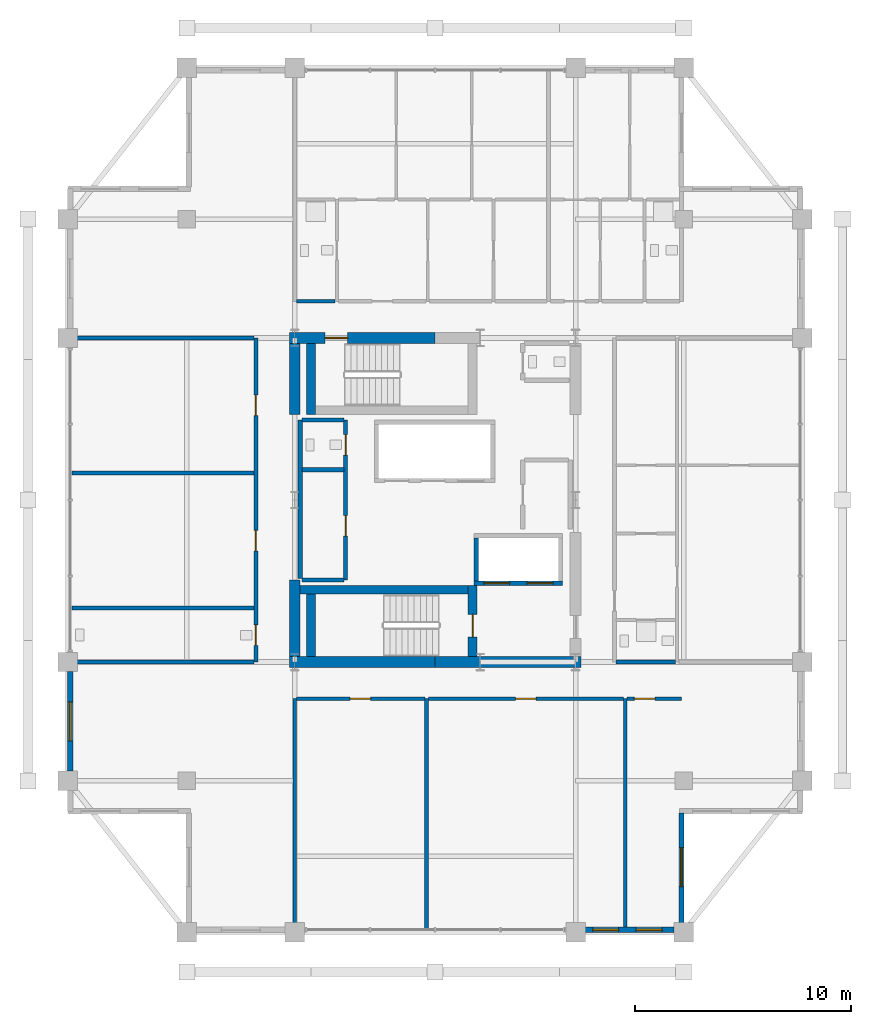
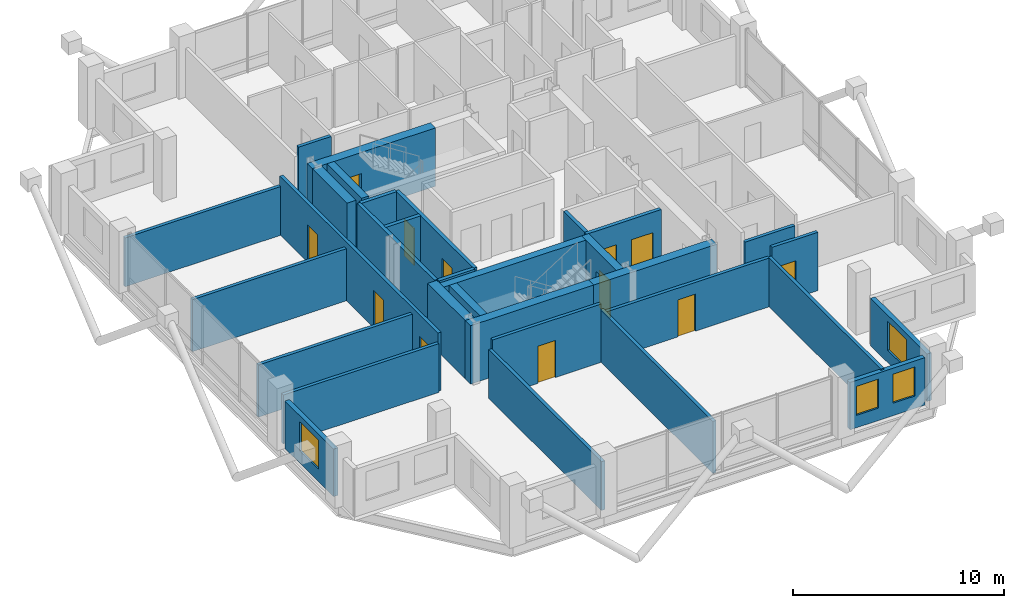
# One storey, part 18 of 23: 32 walls, 12 doors, 4 windows, 16 openings.
"""IFC4 building model written with IfcOpenShell, lengths in metres."""

from ifc_helpers import new_model, si_unit, direction, frame, frame_2d, origin, place, context, subcontext, project, spatial, rectangle, extrude, material, layer, layer_set, type_object, element, fill, save


model = new_model("IFC4")

# Units and contexts
model_context = context("Model", 3, precision=1e-05, world=origin(), true_north=direction((0.0, 1.0)))
body_context = subcontext(model_context, "Body", "Model", "MODEL_VIEW")
ifc_project = project(units=[si_unit("LENGTHUNIT", "METRE"), si_unit("AREAUNIT", "SQUARE_METRE"), si_unit("VOLUMEUNIT", "CUBIC_METRE"), si_unit("PLANEANGLEUNIT", "RADIAN"), si_unit("MASSUNIT", "GRAM", prefix="KILO")], contexts=[model_context])

# Site, building, storey
site_placement = place(None, origin())
site = spatial("IfcSite", under=ifc_project, at=site_placement, CompositionType="ELEMENT")
building_placement = place(site_placement, origin())
building = spatial("IfcBuilding", under=site, at=building_placement, Name="Barlavira Tower and Art Museum", CompositionType="ELEMENT")
storey_placement = place(building_placement, frame((0.0, 0.0, 279.89990234375)))
storey = spatial("IfcBuildingStorey", under=building, at=storey_placement, Name="L73", CompositionType="ELEMENT", Elevation=279.89990234375)

# Walls
ifc_material_1 = material(Name="Concrete C60", Category="concrete")
ifc_layer_1 = layer(ifc_material_1, 0.5, Name="Concrete C60")
ifc_layer_set_1 = layer_set([ifc_layer_1], Name="Concrete C60")
wall_type_1 = type_object("IfcWallType", Name="Core Structural Shear Wall 500 Concrete C60", PredefinedType="SHEAR", material=ifc_layer_set_1)
for number, where, z_axis, x_axis, name in (
    (1, (-6.75, -7.5, 0.0), (0.0, 0.0, 1.0), (1.0, 0.0, 0.0), "L73 Core Shear Wall CS-SW"),
    (2, (0.0, -7.5, 0.0), (0.0, 0.0, 1.0), (1.0, 0.0, 0.0), "L73 Core Shear Wall CS-SE"),
):
    element("IfcWall", number, at=place(storey_placement, frame(where, z_axis=z_axis, x_axis=x_axis)), inside=storey, type_object=wall_type_1, Name=name, PredefinedType="SHEAR", context=body_context, shape_type="SweptSolid", body=[
        extrude(rectangle(XDim=6.75, YDim=0.5, at=frame_2d((3.375, 0.0))), origin(), (0.0, 0.0, 1.0), 3.380126953125),
    ])

# Wall, opening, door
wall_1_placement = place(storey_placement, frame((-6.75, 7.5, 0.0), z_axis=(0.0, 0.0, 1.0), x_axis=(1.0, 0.0, 0.0)))
wall_1 = element("IfcWall", 3, at=wall_1_placement, inside=storey, type_object=wall_type_1, Name="L73 Core Shear Wall CS-NW", PredefinedType="SHEAR", context=body_context, shape_type="SweptSolid", body=[
    extrude(rectangle(XDim=6.75, YDim=0.5, at=frame_2d((3.375, 0.0))), origin(), (0.0, 0.0, 1.0), 3.380126953125),
])
opening_1_placement = place(wall_1_placement, frame((1.64990234375, 0.0, 0.0)))
opening_1 = element("IfcOpeningElement", 4, at=opening_1_placement, cuts=wall_1, Name="Opening FD-90", PredefinedType="OPENING", context=body_context, shape_type="SweptSolid", body=[
    extrude(rectangle(XDim=1.050048828125, YDim=2.14990234375, at=frame_2d((0.52490234375, 1.074951171875))), frame((0.0, 0.260009765625, 0.0), z_axis=(0.0, -1.0, 0.0), x_axis=(1.0, 0.0, 0.0)), (0.0, 0.0, 1.0), 0.52001953125),
])
ifc_material_2 = material(Name="Brushed stainless steel", Category="steel")
door_type_1 = type_object("IfcDoorType", Name="Stair and Refuge Fire Door 1050x2150 FD90S", OperationType="NOTDEFINED", PredefinedType="DOOR", material=ifc_material_2)
door_1_placement = place(opening_1_placement, origin())
door_1 = element("IfcDoor", 5, at=door_1_placement, inside=storey, type_object=door_type_1, Name="L73 Stair ST-T2 Fire Door", OperationType="SINGLE_SWING_LEFT", OverallHeight=2.14990234375, OverallWidth=1.050048828125, PredefinedType="DOOR", context=body_context, shape_type="SweptSolid", body=[
    extrude(rectangle(XDim=1.050048828125, YDim=2.14990234375, at=frame_2d((0.52490234375, 1.074951171875))), frame((0.0, 0.02490234375, 0.0), z_axis=(0.0, -1.0, 0.0), x_axis=(1.0, 0.0, 0.0)), (0.0, 0.0, 1.0), 0.050048828125),
])
fill(opening_1, door_1)

# Walls
wall_2_placement = place(storey_placement, frame((-6.5, -7.25, 0.0), z_axis=(0.0, 0.0, 1.0), x_axis=(0.0, 1.0, 0.0)))
element("IfcWall", 6, at=wall_2_placement, inside=storey, type_object=wall_type_1, Name="L73 Core Shear Wall CS-W1", PredefinedType="SHEAR", context=body_context, shape_type="SweptSolid", body=[
    extrude(rectangle(XDim=3.550048828125, YDim=0.5, at=frame_2d((1.77490234375, 0.0))), origin(), (0.0, 0.0, 1.0), 3.380126953125),
])
wall_3_placement = place(storey_placement, frame((-6.5, 3.949951171875, 0.0), z_axis=(0.0, 0.0, 1.0), x_axis=(0.0, 1.0, 0.0)))
element("IfcWall", 7, at=wall_3_placement, inside=storey, type_object=wall_type_1, Name="L73 Core Shear Wall CS-W2", PredefinedType="SHEAR", context=body_context, shape_type="SweptSolid", body=[
    extrude(rectangle(XDim=3.300048828125, YDim=0.5, at=frame_2d((1.64990234375, 0.0))), origin(), (0.0, 0.0, 1.0), 3.380126953125),
])

# Wall, openings, doors
ifc_material_3 = material(Name="Autoclaved aerated concrete masonry", Category="masonry")
ifc_layer_2 = layer(ifc_material_3, 0.199951171875, Name="Autoclaved aerated concrete masonry")
ifc_layer_set_2 = layer_set([ifc_layer_2], Name="Autoclaved aerated concrete masonry")
wall_type_2 = type_object("IfcWallType", Name="Fire Compartment and Shaft Wall 200", PredefinedType="SOLIDWALL", material=ifc_layer_set_2)
wall_4_placement = place(storey_placement, frame((1.800048828125, -3.85009765625, 0.0), z_axis=(0.0, 0.0, 1.0), x_axis=(1.0, 0.0, 0.0)))
wall_4 = element("IfcWall", 8, at=wall_4_placement, inside=storey, type_object=wall_type_2, Name="L73 Firefighting Lift Front Shaft Wall", PredefinedType="SOLIDWALL", context=body_context, shape_type="SweptSolid", body=[
    extrude(rectangle(XDim=4.099853515625, YDim=0.199951171875, at=frame_2d((2.0498046875, 0.0))), origin(), (0.0, 0.0, 1.0), 3.380126953125),
])
opening_2_placement = place(wall_4_placement, frame((0.449951171875, 0.0, 0.0)))
opening_2 = element("IfcOpeningElement", 9, at=opening_2_placement, cuts=wall_4, Name="Opening LD-F", PredefinedType="OPENING", context=body_context, shape_type="SweptSolid", body=[
    extrude(rectangle(XDim=1.199951171875, YDim=2.199951171875, at=frame_2d((0.60009765625, 1.10009765625))), frame((0.0, 0.10986328125, 0.0), z_axis=(0.0, -1.0, 0.0), x_axis=(1.0, 0.0, 0.0)), (0.0, 0.0, 1.0), 0.219970703125),
])
opening_3_placement = place(wall_4_placement, frame((2.449951171875, 0.0, 0.0)))
opening_3 = element("IfcOpeningElement", 10, at=opening_3_placement, cuts=wall_4, Name="Opening LD-F", PredefinedType="OPENING", context=body_context, shape_type="SweptSolid", body=[
    extrude(rectangle(XDim=1.199951171875, YDim=2.199951171875, at=frame_2d((0.60009765625, 1.10009765625))), frame((0.0, 0.10986328125, 0.0), z_axis=(0.0, -1.0, 0.0), x_axis=(1.0, 0.0, 0.0)), (0.0, 0.0, 1.0), 0.219970703125),
])
door_type_2 = type_object("IfcDoorType", Name="Firefighting and Service Lift Sliding Door 1200x2200 FD120", OperationType="NOTDEFINED", PredefinedType="DOOR", material=ifc_material_2)
door_2_placement = place(opening_2_placement, origin())
door_2 = element("IfcDoor", 11, at=door_2_placement, inside=storey, type_object=door_type_2, Name="L73 Firefighting Lift FF1 Sliding Door", OperationType="DOUBLE_DOOR_SLIDING", OverallHeight=2.199951171875, OverallWidth=1.199951171875, PredefinedType="DOOR", context=body_context, shape_type="SweptSolid", body=[
    extrude(rectangle(XDim=1.199951171875, YDim=2.199951171875, at=frame_2d((0.60009765625, 1.10009765625))), frame((0.0, 0.02490234375, 0.0), z_axis=(0.0, -1.0, 0.0), x_axis=(1.0, 0.0, 0.0)), (0.0, 0.0, 1.0), 0.050048828125),
])
fill(opening_2, door_2)
door_3_placement = place(opening_3_placement, origin())
door_3 = element("IfcDoor", 12, at=door_3_placement, inside=storey, type_object=door_type_2, Name="L73 Firefighting Lift FF2 Sliding Door", OperationType="DOUBLE_DOOR_SLIDING", OverallHeight=2.199951171875, OverallWidth=1.199951171875, PredefinedType="DOOR", context=body_context, shape_type="SweptSolid", body=[
    extrude(rectangle(XDim=1.199951171875, YDim=2.199951171875, at=frame_2d((0.60009765625, 1.10009765625))), frame((0.0, 0.02490234375, 0.0), z_axis=(0.0, -1.0, 0.0), x_axis=(1.0, 0.0, 0.0)), (0.0, 0.0, 1.0), 0.050048828125),
])
fill(opening_3, door_3)

# Walls
wall_5_placement = place(storey_placement, frame((1.89990234375, -3.75, 0.0), z_axis=(0.0, 0.0, 1.0), x_axis=(0.0, 1.0, 0.0)))
element("IfcWall", 13, at=wall_5_placement, inside=storey, type_object=wall_type_2, Name="L73 Firefighting Lift West Shaft Wall", PredefinedType="SOLIDWALL", context=body_context, shape_type="SweptSolid", body=[
    extrude(rectangle(XDim=2.0, YDim=0.199951171875, at=frame_2d((1.0, 0.0))), origin(), (0.0, 0.0, 1.0), 3.380126953125),
])
wall_6_placement = place(storey_placement, frame((-6.25, -3.639892578125, 0.0), z_axis=(0.0, 0.0, 1.0), x_axis=(0.0, 1.0, 0.0)))
element("IfcWall", 14, at=wall_6_placement, inside=storey, type_object=wall_type_2, Name="L73 Partition Wall 4", PredefinedType="SOLIDWALL", context=body_context, shape_type="SweptSolid", body=[
    extrude(rectangle(XDim=7.33984375, YDim=0.199951171875, at=frame_2d((3.669921875, 0.0))), origin(), (0.0, 0.0, 1.0), 3.380126953125),
])

# Wall, openings, doors
wall_7_placement = place(storey_placement, frame((-4.14990234375, -3.699951171875, 0.0), z_axis=(0.0, 0.0, 1.0), x_axis=(0.0, 1.0, 0.0)))
wall_7 = element("IfcWall", 15, at=wall_7_placement, inside=storey, type_object=wall_type_2, Name="L73 Partition Wall 6", PredefinedType="SOLIDWALL", context=body_context, shape_type="SweptSolid", body=[
    extrude(rectangle(XDim=7.39990234375, YDim=0.199951171875, at=frame_2d((3.699951171875, 0.0))), origin(), (0.0, 0.0, 1.0), 3.380126953125),
])
opening_4_placement = place(wall_7_placement, frame((2.02490234375, 0.0, 0.0)))
opening_4 = element("IfcOpeningElement", 16, at=opening_4_placement, cuts=wall_7, Name="Opening FD-60", PredefinedType="OPENING", context=body_context, shape_type="SweptSolid", body=[
    extrude(rectangle(XDim=0.949951171875, YDim=2.14990234375, at=frame_2d((0.47509765625, 1.074951171875))), frame((0.0, 0.10986328125, 0.0), z_axis=(0.0, -1.0, 0.0), x_axis=(1.0, 0.0, 0.0)), (0.0, 0.0, 1.0), 0.219970703125),
])
opening_5_placement = place(wall_7_placement, frame((5.77490234375, 0.0, 0.0)))
opening_5 = element("IfcOpeningElement", 17, at=opening_5_placement, cuts=wall_7, Name="Opening FD-60", PredefinedType="OPENING", context=body_context, shape_type="SweptSolid", body=[
    extrude(rectangle(XDim=0.949951171875, YDim=2.14990234375, at=frame_2d((0.47509765625, 1.074951171875))), frame((0.0, 0.10986328125, 0.0), z_axis=(0.0, -1.0, 0.0), x_axis=(1.0, 0.0, 0.0)), (0.0, 0.0, 1.0), 0.219970703125),
])
door_type_3 = type_object("IfcDoorType", Name="Apartment Entrance and Riser Fire Door 950x2150 FD60S", OperationType="NOTDEFINED", PredefinedType="DOOR", material=ifc_material_2)
door_4_placement = place(opening_4_placement, origin())
door_4 = element("IfcDoor", 18, at=door_4_placement, inside=storey, type_object=door_type_3, Name="Reclaimed Core Resident Parcel Room Door", OperationType="SINGLE_SWING_RIGHT", OverallHeight=2.14990234375, OverallWidth=0.949951171875, PredefinedType="DOOR", context=body_context, shape_type="SweptSolid", body=[
    extrude(rectangle(XDim=0.949951171875, YDim=2.14990234375, at=frame_2d((0.47509765625, 1.074951171875))), frame((0.0, 0.02490234375, 0.0), z_axis=(0.0, -1.0, 0.0), x_axis=(1.0, 0.0, 0.0)), (0.0, 0.0, 1.0), 0.050048828125),
])
fill(opening_4, door_4)
door_5_placement = place(opening_5_placement, origin())
door_5 = element("IfcDoor", 19, at=door_5_placement, inside=storey, type_object=door_type_3, Name="Reclaimed Core Accessible WC Door", OperationType="SINGLE_SWING_LEFT", OverallHeight=2.14990234375, OverallWidth=0.949951171875, PredefinedType="DOOR", context=body_context, shape_type="SweptSolid", body=[
    extrude(rectangle(XDim=0.949951171875, YDim=2.14990234375, at=frame_2d((0.47509765625, 1.074951171875))), frame((0.0, 0.02490234375, 0.0), z_axis=(0.0, -1.0, 0.0), x_axis=(1.0, 0.0, 0.0)), (0.0, 0.0, 1.0), 0.050048828125),
])
fill(opening_5, door_5)

# Walls
for number, where, z_axis, x_axis, name in (
    (20, (-6.169921875, -3.699951171875, 0.0), (0.0, 0.0, 1.0), (1.0, 0.0, 0.0), "L73 Partition Wall 31"),
    (21, (-6.169921875, 1.39990234375, 0.0), (0.0, 0.0, 1.0), (1.0, 0.0, 0.0), "L73 Partition Wall 34"),
    (22, (-6.169921875, 3.699951171875, 0.0), (0.0, 0.0, 1.0), (1.0, 0.0, 0.0), "L73 Partition Wall 38"),
):
    element("IfcWall", number, at=place(storey_placement, frame(where, z_axis=z_axis, x_axis=x_axis)), inside=storey, type_object=wall_type_2, Name=name, PredefinedType="SOLIDWALL", context=body_context, shape_type="SweptSolid", body=[
        extrude(rectangle(XDim=1.93994140625, YDim=0.199951171875, at=frame_2d((0.969970703125, 0.0))), origin(), (0.0, 0.0, 1.0), 3.380126953125),
    ])

# Wall, openings, doors
ifc_material_4 = material(Name="Gypsum acoustic stud partition", Category="gypsum")
ifc_layer_3 = layer(ifc_material_4, 0.179931640625, Name="Gypsum acoustic stud partition")
ifc_layer_set_3 = layer_set([ifc_layer_3], Name="Gypsum acoustic stud partition")
wall_type_3 = type_object("IfcWallType", Name="Inter-Tenancy Party Partition Wall 180", PredefinedType="PARTITIONING", material=ifc_layer_set_3)
wall_8_placement = place(storey_placement, frame((-8.300048828125, -7.5, 0.0), z_axis=(0.0, 0.0, 1.0), x_axis=(0.0, 1.0, 0.0)))
wall_8 = element("IfcWall", 23, at=wall_8_placement, inside=storey, type_object=wall_type_3, Name="L73 Partition Wall 1", PredefinedType="PARTITIONING", context=body_context, shape_type="SweptSolid", body=[
    extrude(rectangle(XDim=15.0, YDim=0.179931640625, at=frame_2d((7.5, 0.0))), origin(), (0.0, 0.0, 1.0), 3.380126953125),
])
opening_6_placement = place(wall_8_placement, frame((0.77490234375, 0.0, 0.0)))
opening_6 = element("IfcOpeningElement", 24, at=opening_6_placement, cuts=wall_8, Name="Opening FD-60", PredefinedType="OPENING", context=body_context, shape_type="SweptSolid", body=[
    extrude(rectangle(XDim=0.949951171875, YDim=2.14990234375, at=frame_2d((0.47509765625, 1.074951171875))), frame((0.0, 0.10009765625, 0.0), z_axis=(0.0, -1.0, 0.0), x_axis=(1.0, 0.0, 0.0)), (0.0, 0.0, 1.0), 0.199951171875),
])
opening_7_placement = place(wall_8_placement, frame((5.14501953125, 0.0, 0.0)))
opening_7 = element("IfcOpeningElement", 25, at=opening_7_placement, cuts=wall_8, Name="Opening FD-60", PredefinedType="OPENING", context=body_context, shape_type="SweptSolid", body=[
    extrude(rectangle(XDim=0.949951171875, YDim=2.14990234375, at=frame_2d((0.47509765625, 1.074951171875))), frame((0.0, 0.10009765625, 0.0), z_axis=(0.0, -1.0, 0.0), x_axis=(1.0, 0.0, 0.0)), (0.0, 0.0, 1.0), 0.199951171875),
])
opening_8_placement = place(wall_8_placement, frame((11.405029296875, 0.0, 0.0)))
opening_8 = element("IfcOpeningElement", 26, at=opening_8_placement, cuts=wall_8, Name="Opening FD-60", PredefinedType="OPENING", context=body_context, shape_type="SweptSolid", body=[
    extrude(rectangle(XDim=0.949951171875, YDim=2.14990234375, at=frame_2d((0.47509765625, 1.074951171875))), frame((0.0, 0.10009765625, 0.0), z_axis=(0.0, -1.0, 0.0), x_axis=(1.0, 0.0, 0.0)), (0.0, 0.0, 1.0), 0.199951171875),
])
door_6_placement = place(opening_6_placement, origin())
door_6 = element("IfcDoor", 27, at=door_6_placement, inside=storey, type_object=door_type_3, Name="Wellness Changing and Accessible Shower WC Door", OperationType="SINGLE_SWING_LEFT", OverallHeight=2.14990234375, OverallWidth=0.949951171875, PredefinedType="DOOR", context=body_context, shape_type="SweptSolid", body=[
    extrude(rectangle(XDim=0.949951171875, YDim=2.14990234375, at=frame_2d((0.47509765625, 1.074951171875))), frame((0.0, 0.02490234375, 0.0), z_axis=(0.0, -1.0, 0.0), x_axis=(1.0, 0.0, 0.0)), (0.0, 0.0, 1.0), 0.050048828125),
])
fill(opening_6, door_6)
door_7_placement = place(opening_7_placement, origin())
door_7 = element("IfcDoor", 28, at=door_7_placement, inside=storey, type_object=door_type_3, Name="Resident Ocean-View Fitness Studio Door", OperationType="SINGLE_SWING_RIGHT", OverallHeight=2.14990234375, OverallWidth=0.949951171875, PredefinedType="DOOR", context=body_context, shape_type="SweptSolid", body=[
    extrude(rectangle(XDim=0.949951171875, YDim=2.14990234375, at=frame_2d((0.47509765625, 1.074951171875))), frame((0.0, 0.02490234375, 0.0), z_axis=(0.0, -1.0, 0.0), x_axis=(1.0, 0.0, 0.0)), (0.0, 0.0, 1.0), 0.050048828125),
])
fill(opening_7, door_7)
door_8_placement = place(opening_8_placement, origin())
door_8 = element("IfcDoor", 29, at=door_8_placement, inside=storey, type_object=door_type_3, Name="Coastal Hydrotherapy and Yoga Lounge Door", OperationType="SINGLE_SWING_LEFT", OverallHeight=2.14990234375, OverallWidth=0.949951171875, PredefinedType="DOOR", context=body_context, shape_type="SweptSolid", body=[
    extrude(rectangle(XDim=0.949951171875, YDim=2.14990234375, at=frame_2d((0.47509765625, 1.074951171875))), frame((0.0, 0.02490234375, 0.0), z_axis=(0.0, -1.0, 0.0), x_axis=(1.0, 0.0, 0.0)), (0.0, 0.0, 1.0), 0.050048828125),
])
fill(opening_8, door_8)

# Walls
wall_9_placement = place(storey_placement, frame((-6.5, -19.89990234375, 0.0), z_axis=(0.0, 0.0, 1.0), x_axis=(0.0, 1.0, 0.0)))
element("IfcWall", 30, at=wall_9_placement, inside=storey, type_object=wall_type_3, Name="L73 Partition Wall 2", PredefinedType="PARTITIONING", context=body_context, shape_type="SweptSolid", body=[
    extrude(rectangle(XDim=10.699951171875, YDim=0.179931640625, at=frame_2d((5.35009765625, 0.0))), origin(), (0.0, 0.0, 1.0), 2.826171875),
])
wall_10_placement = place(storey_placement, frame((-0.39990234375, -19.89990234375, 0.0), z_axis=(0.0, 0.0, 1.0), x_axis=(0.0, 1.0, 0.0)))
element("IfcWall", 31, at=wall_10_placement, inside=storey, type_object=wall_type_3, Name="L73 Partition Wall 8", PredefinedType="PARTITIONING", context=body_context, shape_type="SweptSolid", body=[
    extrude(rectangle(XDim=10.699951171875, YDim=0.179931640625, at=frame_2d((5.35009765625, 0.0))), origin(), (0.0, 0.0, 1.0), 3.01806640625),
])
wall_11_placement = place(storey_placement, frame((8.800048828125, -19.89990234375, 0.0), z_axis=(0.0, 0.0, 1.0), x_axis=(0.0, 1.0, 0.0)))
element("IfcWall", 32, at=wall_11_placement, inside=storey, type_object=wall_type_3, Name="L73 Partition Wall 18", PredefinedType="PARTITIONING", context=body_context, shape_type="SweptSolid", body=[
    extrude(rectangle(XDim=10.699951171875, YDim=0.179931640625, at=frame_2d((5.35009765625, 0.0))), origin(), (0.0, 0.0, 1.0), 2.826171875),
])

# Wall, opening, door
wall_12_placement = place(storey_placement, frame((-6.419921875, -9.199951171875, 0.0), z_axis=(0.0, 0.0, 1.0), x_axis=(1.0, 0.0, 0.0)))
wall_12 = element("IfcWall", 33, at=wall_12_placement, inside=storey, type_object=wall_type_3, Name="L73 Partition Wall 23", PredefinedType="PARTITIONING", context=body_context, shape_type="SweptSolid", body=[
    extrude(rectangle(XDim=5.93994140625, YDim=0.179931640625, at=frame_2d((2.969970703125, 0.0))), origin(), (0.0, 0.0, 1.0), 3.380126953125),
])
opening_9_placement = place(wall_12_placement, frame((2.485107421875, 0.0, 0.0)))
opening_9 = element("IfcOpeningElement", 34, at=opening_9_placement, cuts=wall_12, Name="Opening FD-60", PredefinedType="OPENING", context=body_context, shape_type="SweptSolid", body=[
    extrude(rectangle(XDim=0.949951171875, YDim=2.14990234375, at=frame_2d((0.47509765625, 1.074951171875))), frame((0.0, 0.10009765625, 0.0), z_axis=(0.0, -1.0, 0.0), x_axis=(1.0, 0.0, 0.0)), (0.0, 0.0, 1.0), 0.199951171875),
])
door_9_placement = place(opening_9_placement, origin())
door_9 = element("IfcDoor", 35, at=door_9_placement, inside=storey, type_object=door_type_3, Name="Resident Rare-Book Reading Room Door", OperationType="SINGLE_SWING_RIGHT", OverallHeight=2.14990234375, OverallWidth=0.949951171875, PredefinedType="DOOR", context=body_context, shape_type="SweptSolid", body=[
    extrude(rectangle(XDim=0.949951171875, YDim=2.14990234375, at=frame_2d((0.47509765625, 1.074951171875))), frame((0.0, 0.02490234375, 0.0), z_axis=(0.0, -1.0, 0.0), x_axis=(1.0, 0.0, 0.0)), (0.0, 0.0, 1.0), 0.050048828125),
])
fill(opening_9, door_9)

wall_13_placement = place(storey_placement, frame((-0.320068359375, -9.199951171875, 0.0), z_axis=(0.0, 0.0, 1.0), x_axis=(1.0, 0.0, 0.0)))
wall_13 = element("IfcWall", 36, at=wall_13_placement, inside=storey, type_object=wall_type_3, Name="L73 Partition Wall 24", PredefinedType="PARTITIONING", context=body_context, shape_type="SweptSolid", body=[
    extrude(rectangle(XDim=9.0400390625, YDim=0.179931640625, at=frame_2d((4.52001953125, 0.0))), origin(), (0.0, 0.0, 1.0), 2.826171875),
])
opening_10_placement = place(wall_13_placement, frame((4.044921875, 0.0, 0.0)))
opening_10 = element("IfcOpeningElement", 37, at=opening_10_placement, cuts=wall_13, Name="Opening FD-60", PredefinedType="OPENING", context=body_context, shape_type="SweptSolid", body=[
    extrude(rectangle(XDim=0.949951171875, YDim=2.14990234375, at=frame_2d((0.47509765625, 1.074951171875))), frame((0.0, 0.10009765625, 0.0), z_axis=(0.0, -1.0, 0.0), x_axis=(1.0, 0.0, 0.0)), (0.0, 0.0, 1.0), 0.199951171875),
])
door_10_placement = place(opening_10_placement, origin())
door_10 = element("IfcDoor", 38, at=door_10_placement, inside=storey, type_object=door_type_3, Name="Private Coastal Dining Salon Door", OperationType="SINGLE_SWING_LEFT", OverallHeight=2.14990234375, OverallWidth=0.949951171875, PredefinedType="DOOR", context=body_context, shape_type="SweptSolid", body=[
    extrude(rectangle(XDim=0.949951171875, YDim=2.14990234375, at=frame_2d((0.47509765625, 1.074951171875))), frame((0.0, 0.02490234375, 0.0), z_axis=(0.0, -1.0, 0.0), x_axis=(1.0, 0.0, 0.0)), (0.0, 0.0, 1.0), 0.050048828125),
])
fill(opening_10, door_10)

wall_14_placement = place(storey_placement, frame((8.8798828125, -9.199951171875, 0.0), z_axis=(0.0, 0.0, 1.0), x_axis=(1.0, 0.0, 0.0)))
wall_14 = element("IfcWall", 39, at=wall_14_placement, inside=storey, type_object=wall_type_3, Name="L73 Partition Wall 25", PredefinedType="PARTITIONING", context=body_context, shape_type="SweptSolid", body=[
    extrude(rectangle(XDim=2.52001953125, YDim=0.179931640625, at=frame_2d((1.260009765625, 0.0))), origin(), (0.0, 0.0, 1.0), 3.380126953125),
])
opening_11_placement = place(wall_14_placement, frame((0.344970703125, 0.0, 0.0)))
opening_11 = element("IfcOpeningElement", 40, at=opening_11_placement, cuts=wall_14, Name="Opening FD-60", PredefinedType="OPENING", context=body_context, shape_type="SweptSolid", body=[
    extrude(rectangle(XDim=0.949951171875, YDim=2.14990234375, at=frame_2d((0.47509765625, 1.074951171875))), frame((0.0, 0.10009765625, 0.0), z_axis=(0.0, -1.0, 0.0), x_axis=(1.0, 0.0, 0.0)), (0.0, 0.0, 1.0), 0.199951171875),
])
door_11_placement = place(opening_11_placement, origin())
door_11 = element("IfcDoor", 41, at=door_11_placement, inside=storey, type_object=door_type_3, Name="Shared Catering Kitchen Door", OperationType="SINGLE_SWING_RIGHT", OverallHeight=2.14990234375, OverallWidth=0.949951171875, PredefinedType="DOOR", context=body_context, shape_type="SweptSolid", body=[
    extrude(rectangle(XDim=0.949951171875, YDim=2.14990234375, at=frame_2d((0.47509765625, 1.074951171875))), frame((0.0, 0.02490234375, 0.0), z_axis=(0.0, -1.0, 0.0), x_axis=(1.0, 0.0, 0.0)), (0.0, 0.0, 1.0), 0.050048828125),
])
fill(opening_11, door_11)

# Walls
wall_15_placement = place(storey_placement, frame((-16.89990234375, -7.5, 0.0), z_axis=(0.0, 0.0, 1.0), x_axis=(1.0, 0.0, 0.0)))
element("IfcWall", 42, at=wall_15_placement, inside=storey, type_object=wall_type_3, Name="L73 Partition Wall 26", PredefinedType="PARTITIONING", context=body_context, shape_type="SweptSolid", body=[
    extrude(rectangle(XDim=8.52001953125, YDim=0.179931640625, at=frame_2d((4.260009765625, 0.0))), origin(), (0.0, 0.0, 1.0), 2.826171875),
])
wall_16_placement = place(storey_placement, frame((8.3798828125, -7.5, 0.0), z_axis=(0.0, 0.0, 1.0), x_axis=(1.0, 0.0, 0.0)))
element("IfcWall", 43, at=wall_16_placement, inside=storey, type_object=wall_type_3, Name="L73 Partition Wall 27", PredefinedType="PARTITIONING", context=body_context, shape_type="SweptSolid", body=[
    extrude(rectangle(XDim=2.740234375, YDim=0.179931640625, at=frame_2d((1.3701171875, 0.0))), origin(), (0.0, 0.0, 1.0), 2.826171875),
])
for number, where, z_axis, x_axis, name in (
    (44, (-16.820068359375, -5.0, 0.0), (0.0, 0.0, 1.0), (1.0, 0.0, 0.0), "L73 Partition Wall 30"),
    (45, (-16.820068359375, 1.25, 0.0), (0.0, 0.0, 1.0), (1.0, 0.0, 0.0), "L73 Partition Wall 33"),
):
    element("IfcWall", number, at=place(storey_placement, frame(where, z_axis=z_axis, x_axis=x_axis)), inside=storey, type_object=wall_type_3, Name=name, PredefinedType="PARTITIONING", context=body_context, shape_type="SweptSolid", body=[
        extrude(rectangle(XDim=8.440185546875, YDim=0.179931640625, at=frame_2d((4.22021484375, 0.0))), origin(), (0.0, 0.0, 1.0), 3.01806640625),
    ])
wall_17_placement = place(storey_placement, frame((-16.89990234375, 7.5, 0.0), z_axis=(0.0, 0.0, 1.0), x_axis=(1.0, 0.0, 0.0)))
element("IfcWall", 46, at=wall_17_placement, inside=storey, type_object=wall_type_3, Name="L73 Partition Wall 41", PredefinedType="PARTITIONING", context=body_context, shape_type="SweptSolid", body=[
    extrude(rectangle(XDim=8.52001953125, YDim=0.179931640625, at=frame_2d((4.260009765625, 0.0))), origin(), (0.0, 0.0, 1.0), 2.826171875),
])
wall_18_placement = place(storey_placement, frame((-6.419921875, 9.199951171875, 0.0), z_axis=(0.0, 0.0, 1.0), x_axis=(1.0, 0.0, 0.0)))
element("IfcWall", 47, at=wall_18_placement, inside=storey, type_object=wall_type_3, Name="L73 Partition Wall 44", PredefinedType="PARTITIONING", context=body_context, shape_type="SweptSolid", body=[
    extrude(rectangle(XDim=1.7900390625, YDim=0.179931640625, at=frame_2d((0.89501953125, 0.0))), origin(), (0.0, 0.0, 1.0), 3.380126953125),
])

# Wall, openings, windows
ifc_material_5 = material(Name="Precast concrete C40", Category="concrete")
ifc_layer_4 = layer(ifc_material_5, 0.25, Name="Precast concrete C40")
ifc_layer_set_4 = layer_set([ifc_layer_4], Name="Precast concrete C40")
wall_type_4 = type_object("IfcWallType", Name="Notched Corner Spandrel Wall 250 Precast Concrete C40", PredefinedType="SOLIDWALL", material=ifc_layer_set_4)
wall_19_placement = place(storey_placement, frame((6.945068359375, -19.89990234375, 0.0), z_axis=(0.0, 0.0, 1.0), x_axis=(1.0, 0.0, 0.0)))
wall_19 = element("IfcWall", 48, at=wall_19_placement, inside=storey, type_object=wall_type_4, Name="L73 Coastal Facade Pier Wall CW4-L73-S-3", PredefinedType="SOLIDWALL", context=body_context, shape_type="SweptSolid", body=[
    extrude(rectangle(XDim=4.10986328125, YDim=0.25, at=frame_2d((2.054931640625, 0.0))), origin(), (0.0, 0.0, 1.0), 2.748046875),
])
opening_12_placement = place(wall_19_placement, frame((0.35009765625, 0.0, 0.719970703125)))
opening_12 = element("IfcOpeningElement", 49, at=opening_12_placement, cuts=wall_19, Name="Opening WN-05", PredefinedType="OPENING", context=body_context, shape_type="SweptSolid", body=[
    extrude(rectangle(XDim=1.199951171875, YDim=1.679931640625, at=frame_2d((0.60009765625, 0.83984375))), frame((0.0, 0.135009765625, 0.0), z_axis=(0.0, -1.0, 0.0), x_axis=(1.0, 0.0, 0.0)), (0.0, 0.0, 1.0), 0.27001953125),
])
opening_13_placement = place(wall_19_placement, frame((2.360107421875, 0.0, 0.719970703125)))
opening_13 = element("IfcOpeningElement", 50, at=opening_13_placement, cuts=wall_19, Name="Opening WN-05", PredefinedType="OPENING", context=body_context, shape_type="SweptSolid", body=[
    extrude(rectangle(XDim=1.199951171875, YDim=1.679931640625, at=frame_2d((0.60009765625, 0.83984375))), frame((0.0, 0.135009765625, 0.0), z_axis=(0.0, -1.0, 0.0), x_axis=(1.0, 0.0, 0.0)), (0.0, 0.0, 1.0), 0.27001953125),
])
ifc_material_6 = material(Name="Low-iron coastal laminated glass", Category="glass")
window_type_1 = type_object("IfcWindowType", Name="Recessed Flank Pier Punch Window 1200x1680", PartitioningType="SINGLE_PANEL", PredefinedType="WINDOW", material=ifc_material_6)
window_1_placement = place(opening_12_placement, origin())
window_1 = element("IfcWindow", 51, at=window_1_placement, inside=storey, type_object=window_type_1, Name="L73 Punched Facade Window EWP-CW4-L73-S-3-1", OverallHeight=1.679931640625, OverallWidth=1.199951171875, PartitioningType="SINGLE_PANEL", PredefinedType="WINDOW", context=body_context, shape_type="SweptSolid", body=[
    extrude(rectangle(XDim=1.199951171875, YDim=1.679931640625, at=frame_2d((0.60009765625, 0.83984375))), frame((0.0, 0.030029296875, 0.0), z_axis=(0.0, -1.0, 0.0), x_axis=(1.0, 0.0, 0.0)), (0.0, 0.0, 1.0), 0.06005859375),
])
fill(opening_12, window_1)
window_2_placement = place(opening_13_placement, origin())
window_2 = element("IfcWindow", 52, at=window_2_placement, inside=storey, type_object=window_type_1, Name="L73 Punched Facade Window EWP-CW4-L73-S-3-2", OverallHeight=1.679931640625, OverallWidth=1.199951171875, PartitioningType="SINGLE_PANEL", PredefinedType="WINDOW", context=body_context, shape_type="SweptSolid", body=[
    extrude(rectangle(XDim=1.199951171875, YDim=1.679931640625, at=frame_2d((0.60009765625, 0.83984375))), frame((0.0, 0.030029296875, 0.0), z_axis=(0.0, -1.0, 0.0), x_axis=(1.0, 0.0, 0.0)), (0.0, 0.0, 1.0), 0.06005859375),
])
fill(opening_13, window_2)

# Wall, opening, window
wall_20_placement = place(storey_placement, frame((-16.89990234375, -7.945068359375, 0.0), z_axis=(0.0, 0.0, 1.0), x_axis=(0.0, -1.0, 0.0)))
wall_20 = element("IfcWall", 53, at=wall_20_placement, inside=storey, type_object=wall_type_4, Name="L73 Coastal Facade Pier Wall CW4-L73-W-4", PredefinedType="SOLIDWALL", context=body_context, shape_type="SweptSolid", body=[
    extrude(rectangle(XDim=4.60986328125, YDim=0.25, at=frame_2d((2.304931640625, 0.0))), origin(), (0.0, 0.0, 1.0), 2.748046875),
])
opening_14_placement = place(wall_20_placement, frame((1.405029296875, 0.0, 0.719970703125)))
opening_14 = element("IfcOpeningElement", 54, at=opening_14_placement, cuts=wall_20, Name="Opening WN-01", PredefinedType="OPENING", context=body_context, shape_type="SweptSolid", body=[
    extrude(rectangle(XDim=1.800048828125, YDim=1.679931640625, at=frame_2d((0.89990234375, 0.83984375))), frame((0.0, 0.135009765625, 0.0), z_axis=(0.0, -1.0, 0.0), x_axis=(1.0, 0.0, 0.0)), (0.0, 0.0, 1.0), 0.27001953125),
])
window_type_2 = type_object("IfcWindowType", Name="Recessed Notch Corner Punch Window 1800x1680", PartitioningType="SINGLE_PANEL", PredefinedType="WINDOW", material=ifc_material_6)
window_3_placement = place(opening_14_placement, origin())
window_3 = element("IfcWindow", 55, at=window_3_placement, inside=storey, type_object=window_type_2, Name="L73 Punched Facade Window EWP-CW4-L73-W-4-1", OverallHeight=1.679931640625, OverallWidth=1.800048828125, PartitioningType="SINGLE_PANEL", PredefinedType="WINDOW", context=body_context, shape_type="SweptSolid", body=[
    extrude(rectangle(XDim=1.800048828125, YDim=1.679931640625, at=frame_2d((0.89990234375, 0.83984375))), frame((0.0, 0.030029296875, 0.0), z_axis=(0.0, -1.0, 0.0), x_axis=(1.0, 0.0, 0.0)), (0.0, 0.0, 1.0), 0.06005859375),
])
fill(opening_14, window_3)

wall_21_placement = place(storey_placement, frame((11.39990234375, -19.820068359375, 0.0), z_axis=(0.0, 0.0, 1.0), x_axis=(0.0, 1.0, 0.0)))
wall_21 = element("IfcWall", 56, at=wall_21_placement, inside=storey, type_object=wall_type_4, Name="L73 Notch Corner Wall SE1", PredefinedType="SOLIDWALL", context=body_context, shape_type="SweptSolid", body=[
    extrude(rectangle(XDim=5.340087890625, YDim=0.25, at=frame_2d((2.669921875, 0.0))), origin(), (0.0, 0.0, 1.0), 2.748046875),
])
opening_15_placement = place(wall_21_placement, frame((1.925048828125, 0.0, 0.719970703125)))
opening_15 = element("IfcOpeningElement", 57, at=opening_15_placement, cuts=wall_21, Name="Opening WN-01", PredefinedType="OPENING", context=body_context, shape_type="SweptSolid", body=[
    extrude(rectangle(XDim=1.800048828125, YDim=1.679931640625, at=frame_2d((0.89990234375, 0.83984375))), frame((0.0, 0.135009765625, 0.0), z_axis=(0.0, -1.0, 0.0), x_axis=(1.0, 0.0, 0.0)), (0.0, 0.0, 1.0), 0.27001953125),
])
window_4_placement = place(opening_15_placement, origin())
window_4 = element("IfcWindow", 58, at=window_4_placement, inside=storey, type_object=window_type_2, Name="L73 Punched Facade Window EW-NTC-L73-SE1-1", OverallHeight=1.679931640625, OverallWidth=1.800048828125, PartitioningType="SINGLE_PANEL", PredefinedType="WINDOW", context=body_context, shape_type="SweptSolid", body=[
    extrude(rectangle(XDim=1.800048828125, YDim=1.679931640625, at=frame_2d((0.89990234375, 0.83984375))), frame((0.0, 0.030029296875, 0.0), z_axis=(0.0, -1.0, 0.0), x_axis=(1.0, 0.0, 0.0)), (0.0, 0.0, 1.0), 0.06005859375),
])
fill(opening_15, window_4)

# Walls
ifc_material_7 = material(Name="Concrete C55", Category="concrete")
ifc_layer_5 = layer(ifc_material_7, 0.39990234375, Name="Concrete C55")
ifc_layer_set_5 = layer_set([ifc_layer_5], Name="Concrete C55")
wall_type_5 = type_object("IfcWallType", Name="Upper Core Shear Wall 400 Concrete C55", PredefinedType="SHEAR", material=ifc_layer_set_5)
wall_22_placement = place(storey_placement, frame((-5.75, -7.25, 0.0), z_axis=(0.0, 0.0, 1.0), x_axis=(0.0, 1.0, 0.0)))
element("IfcWall", 59, at=wall_22_placement, inside=storey, type_object=wall_type_5, Name="L73 ST-T1 West Half-Landing Wall", PredefinedType="SHEAR", context=body_context, shape_type="SweptSolid", body=[
    extrude(rectangle(XDim=2.89990234375, YDim=0.39990234375, at=frame_2d((1.449951171875, 0.0))), origin(), (0.0, 0.0, 1.0), 3.380126953125),
])
wall_23_placement = place(storey_placement, frame((-6.25, -4.14990234375, 0.0), z_axis=(0.0, 0.0, 1.0), x_axis=(1.0, 0.0, 0.0)))
element("IfcWall", 60, at=wall_23_placement, inside=storey, type_object=wall_type_5, Name="L73 ST-T1 North Shaft Wall", PredefinedType="SHEAR", context=body_context, shape_type="SweptSolid", body=[
    extrude(rectangle(XDim=7.780029296875, YDim=0.39990234375, at=frame_2d((3.89013671875, 0.0))), origin(), (0.0, 0.0, 1.0), 3.380126953125),
])

# Wall, opening, door
wall_24_placement = place(storey_placement, frame((1.72998046875, -7.25, 0.0), z_axis=(0.0, 0.0, 1.0), x_axis=(0.0, 1.0, 0.0)))
wall_24 = element("IfcWall", 61, at=wall_24_placement, inside=storey, type_object=wall_type_5, Name="L73 ST-T1 East Landing Wall", PredefinedType="SHEAR", context=body_context, shape_type="SweptSolid", body=[
    extrude(rectangle(XDim=3.300048828125, YDim=0.39990234375, at=frame_2d((1.64990234375, 0.0))), origin(), (0.0, 0.0, 1.0), 3.380126953125),
])
opening_16_placement = place(wall_24_placement, frame((0.89990234375, 0.0, 0.0)))
opening_16 = element("IfcOpeningElement", 62, at=opening_16_placement, cuts=wall_24, Name="Opening FD-90", PredefinedType="OPENING", context=body_context, shape_type="SweptSolid", body=[
    extrude(rectangle(XDim=1.050048828125, YDim=2.14990234375, at=frame_2d((0.52490234375, 1.074951171875))), frame((0.0, 0.2099609375, 0.0), z_axis=(0.0, -1.0, 0.0), x_axis=(1.0, 0.0, 0.0)), (0.0, 0.0, 1.0), 0.419921875),
])
door_12_placement = place(opening_16_placement, origin())
door_12 = element("IfcDoor", 63, at=door_12_placement, inside=storey, type_object=door_type_1, Name="L73 Stair ST-T1 Fire Door", OperationType="SINGLE_SWING_RIGHT", OverallHeight=2.14990234375, OverallWidth=1.050048828125, PredefinedType="DOOR", context=body_context, shape_type="SweptSolid", body=[
    extrude(rectangle(XDim=1.050048828125, YDim=2.14990234375, at=frame_2d((0.52490234375, 1.074951171875))), frame((0.0, 0.02490234375, 0.0), z_axis=(0.0, -1.0, 0.0), x_axis=(1.0, 0.0, 0.0)), (0.0, 0.0, 1.0), 0.050048828125),
])
fill(opening_16, door_12)

# Wall
wall_25_placement = place(storey_placement, frame((-5.75, 3.949951171875, 0.0), z_axis=(0.0, 0.0, 1.0), x_axis=(0.0, 1.0, 0.0)))
element("IfcWall", 64, at=wall_25_placement, inside=storey, type_object=wall_type_5, Name="L73 ST-T2 West Shaft Wall", PredefinedType="SHEAR", context=body_context, shape_type="SweptSolid", body=[
    extrude(rectangle(XDim=3.300048828125, YDim=0.39990234375, at=frame_2d((1.64990234375, 0.0))), origin(), (0.0, 0.0, 1.0), 3.380126953125),
])

save(model, "model.ifc")
